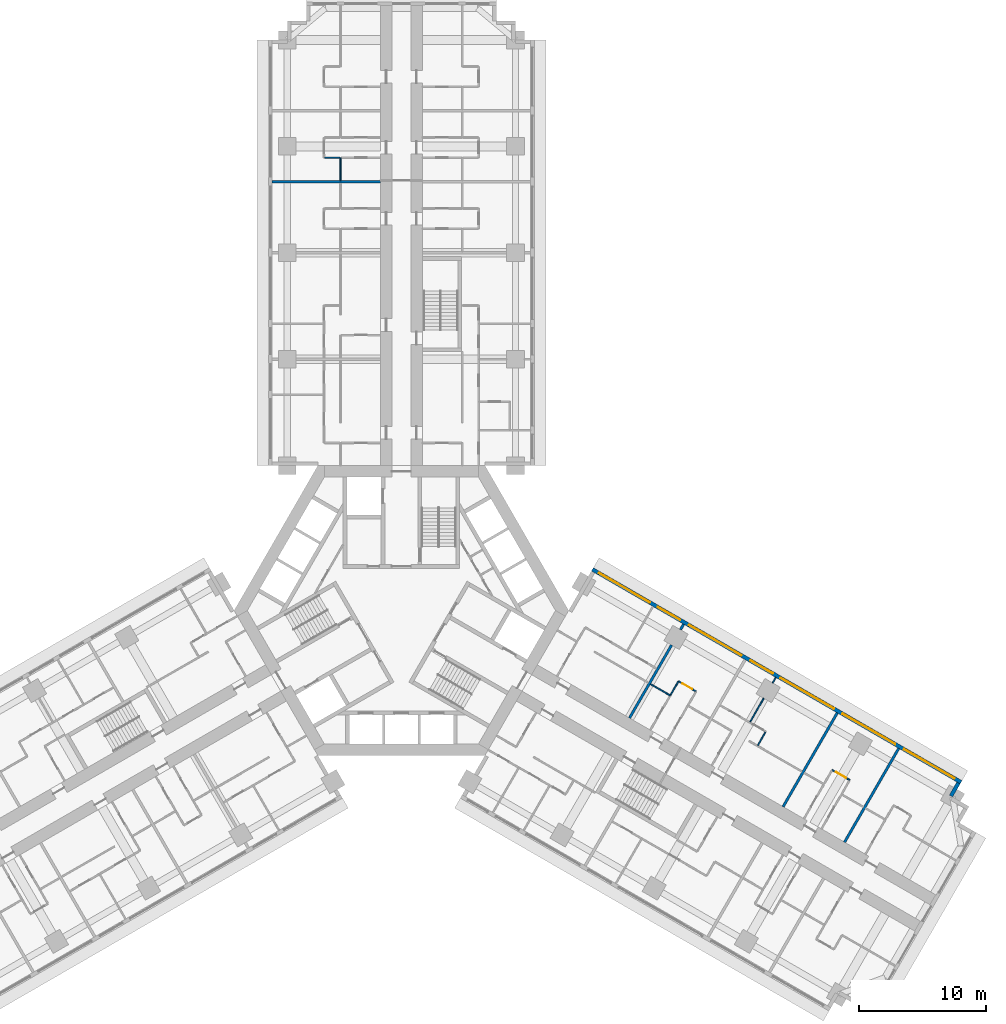
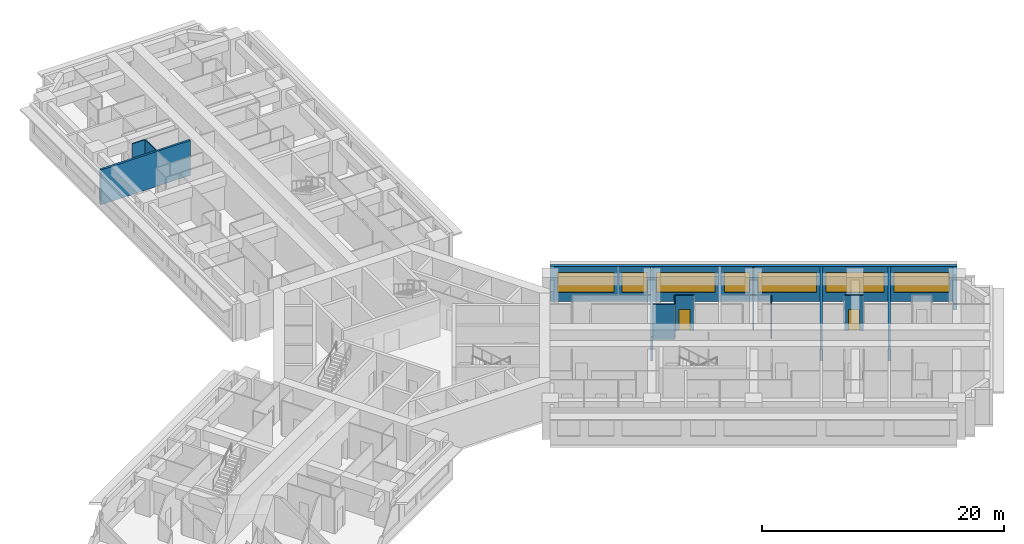
# One storey, part 13 of 16: 16 walls, 7 windows, 2 doors, 9 openings.
"""IFC4 building model written with IfcOpenShell, lengths in metres."""

import ifcopenshell
import ifcopenshell.guid

model = None  # the IFC model being written
_history = None  # IfcOwnerHistory: only IFC2X3 demands one
_inside = {}  # id of a spatial element -> (the spatial element, [elements in it])
_under = {}  # id of a project, library or spatial element -> (it, [spatial elements below it])
_declared = {}  # id of a project -> (the project, [libraries it declares])
_typed = {}  # id of a type object -> (the type object, [elements of that type])
_made_of = {}  # id of a material, layer set ... -> (it, [elements and type objects made of it])


def new_model(schema):
    """Start an empty IFC model of exactly this schema.

    Asked for "IFC4X3", IfcOpenShell would pick the latest addendum, in which some entities
    have other attributes; the version numbers below select the first issue.
    IFC2X3 requires an IfcOwnerHistory on every rooted entity: one is made here for all.
    """
    global model, _history
    if schema == "IFC4X3":
        model = ifcopenshell.file(schema_version=(4, 3, 0, 0))
    else:
        model = ifcopenshell.file(schema=schema)
    _inside.clear()
    _under.clear()
    _declared.clear()
    _typed.clear()
    _made_of.clear()
    _history = None
    if model.schema == "IFC2X3":
        org = make("IfcOrganization", Name="unknown")
        user = make(
            "IfcPersonAndOrganization",
            ThePerson=make("IfcPerson", FamilyName="unknown"),
            TheOrganization=org,
        )
        app = make(
            "IfcApplication",
            ApplicationDeveloper=org,
            Version="unknown",
            ApplicationFullName="unknown",
            ApplicationIdentifier="unknown",
        )
        _history = make(
            "IfcOwnerHistory",
            OwningUser=user,
            OwningApplication=app,
            ChangeAction="ADDED",
            CreationDate=0,
        )
    return model


def make(cls, **values):
    """One entity of the class cls with the attributes given. An attribute that is None is left unset."""
    return model.create_entity(
        cls, **{name: value for name, value in values.items() if value is not None}
    )


def rooted(cls, **values):
    """An entity with a GlobalId (a new one), such as an element, a storey or a relation."""
    return make(cls, GlobalId=ifcopenshell.guid.new(), OwnerHistory=_history, **values)


def si_unit(unit_type, name, prefix=None):
    """IfcSIUnit, for example si_unit("LENGTHUNIT", "METRE", prefix="MILLI")."""
    return make("IfcSIUnit", UnitType=unit_type, Prefix=prefix, Name=name)


def assignment(units):
    """IfcUnitAssignment: the units of a project."""
    return None if units is None else make("IfcUnitAssignment", Units=units)


def point(xyz):
    """IfcCartesianPoint."""
    return None if xyz is None else make("IfcCartesianPoint", Coordinates=xyz)


def direction(xyz):
    """IfcDirection."""
    return None if xyz is None else make("IfcDirection", DirectionRatios=xyz)


def frame(location, z_axis=None, x_axis=None):
    """IfcAxis2Placement3D, a coordinate frame: its origin and axes. An axis left out is left unset."""
    return make(
        "IfcAxis2Placement3D",
        Location=point(location),
        Axis=direction(z_axis),
        RefDirection=direction(x_axis),
    )


def frame_2d(location, x_axis=None):
    """IfcAxis2Placement2D, a coordinate frame in the plane: its origin and x axis."""
    return make(
        "IfcAxis2Placement2D", Location=point(location), RefDirection=direction(x_axis)
    )


def origin():
    """The frame at (0, 0, 0) with its axes left unset."""
    return frame((0.0, 0.0, 0.0))


def place(relative_to, where):
    """IfcLocalPlacement: puts the frame where relative to a parent placement (None: the world)."""
    return make(
        "IfcLocalPlacement", PlacementRelTo=relative_to, RelativePlacement=where
    )


def context(
    kind, dimensions, precision=None, world=None, true_north=None, identifier=None
):
    """IfcGeometricRepresentationContext, for example the 3D "Model" context."""
    return make(
        "IfcGeometricRepresentationContext",
        ContextIdentifier=identifier,
        ContextType=kind,
        CoordinateSpaceDimension=dimensions,
        Precision=precision,
        WorldCoordinateSystem=world,
        TrueNorth=true_north,
    )


def subcontext(parent, identifier, kind, view, scale=None):
    """IfcGeometricRepresentationSubContext, for example "Body" below "Model"."""
    return make(
        "IfcGeometricRepresentationSubContext",
        ContextIdentifier=identifier,
        ContextType=kind,
        ParentContext=parent,
        TargetScale=scale,
        TargetView=view,
    )


def project(units=None, contexts=None):
    """IfcProject with its units and contexts."""
    return rooted(
        "IfcProject",
        Name="project",
        RepresentationContexts=contexts,
        UnitsInContext=assignment(units),
    )


def spatial(cls, under=None, at=None, **own):
    """A site, building, storey or space (cls), placed at a placement, below another one or the project."""
    s = rooted(cls, ObjectPlacement=at, **own)
    if under is not None:
        _under.setdefault(under.id(), (under, []))[1].append(s)
    return s


def profile(cls, at=None, kind="AREA", **sizes):
    """A parametric profile (cls). Its sizes go by their IFC names, for example OverallWidth=200.0."""
    return make(cls, ProfileType=kind, Position=at, **sizes)


def rectangle(**sizes):
    """IfcRectangleProfileDef."""
    return profile("IfcRectangleProfileDef", **sizes)


def extrude(swept, where, along, depth):
    """IfcExtrudedAreaSolid: the profile swept, set in the frame where, extruded along a direction by depth."""
    return make(
        "IfcExtrudedAreaSolid",
        SweptArea=swept,
        Position=where,
        ExtrudedDirection=direction(along),
        Depth=depth,
    )


def shape(context_of_items, identifier, shape_type, items):
    """IfcShapeRepresentation: the items that make up one representation, for example the "Body"."""
    return make(
        "IfcShapeRepresentation",
        ContextOfItems=context_of_items,
        RepresentationIdentifier=identifier,
        RepresentationType=shape_type,
        Items=items,
    )


def material(Name=None, Category=None):
    """IfcMaterial."""
    return make("IfcMaterial", Name=Name, Category=Category)


def layer(
    of_material, thickness, ventilated=None, Name=None, Category=None, Priority=None
):
    """IfcMaterialLayer: one layer of a wall or slab, of a material (None: an air gap)."""
    return make(
        "IfcMaterialLayer",
        Material=of_material,
        LayerThickness=thickness,
        IsVentilated=ventilated,
        Name=Name,
        Category=Category,
        Priority=Priority,
    )


def layer_set(layers, Name=None):
    """IfcMaterialLayerSet."""
    return make("IfcMaterialLayerSet", MaterialLayers=layers, LayerSetName=Name)


def made_of(thing, what):
    """Note that an element or type object is made of a material, layer set ...; save() writes the relation."""
    if what is not None:
        _made_of.setdefault(what.id(), (what, []))[1].append(thing)
    return thing


def type_object(cls, material=None, **own):
    """A type object (cls), such as IfcWallType, which elements share."""
    return made_of(rooted(cls, **own), material)


def element(
    cls,
    number,
    at=None,
    inside=None,
    cuts=None,
    type_object=None,
    material=None,
    context=None,
    identifier="Body",
    shape_type=None,
    held_by="IfcProductDefinitionShape",
    body=None,
    shapes=None,
    **own,
):
    """One element of the class cls, such as IfcWall. Its Tag is "e" and its number.

    at: its placement. inside: the storey or other place that contains it. cuts: it is an
    opening in that element (IfcRelVoidsElement). A single representation is given by context,
    identifier, shape_type and body (its items); several are given by shapes. held_by: the class
    of the entity that holds the representations. save() writes the other relations.
    """
    e = rooted(cls, Tag="e%d" % number, ObjectPlacement=at, **own)
    if body is not None:
        shapes = [shape(context, identifier, shape_type, body)]
    if shapes is not None:
        e.Representation = make(held_by, Representations=shapes)
    if inside is not None:
        _inside.setdefault(inside.id(), (inside, []))[1].append(e)
    if cuts is not None:
        rooted(
            "IfcRelVoidsElement", RelatingBuildingElement=cuts, RelatedOpeningElement=e
        )
    if type_object is not None:
        _typed.setdefault(type_object.id(), (type_object, []))[1].append(e)
    return made_of(e, material)


def fill(opening, filler):
    """IfcRelFillsElement: the door or window that sits in an opening."""
    return rooted(
        "IfcRelFillsElement",
        RelatingOpeningElement=opening,
        RelatedBuildingElement=filler,
    )


def aggregate(whole, parts):
    """IfcRelAggregates: a whole, such as a stair, and the parts it consists of."""
    return rooted("IfcRelAggregates", RelatingObject=whole, RelatedObjects=parts)


def save(model, path):
    """Write the relations noted so far, then the file.

    IfcRelAggregates (storeys below a building ...), IfcRelContainedInSpatialStructure (elements
    in a storey), IfcRelDefinesByType, IfcRelAssociatesMaterial and IfcRelDeclares: one each for
    every whole, place, type object, material and project.
    """
    for whole, parts in _under.values():
        aggregate(whole, parts)
    for where, things in _inside.values():
        rooted(
            "IfcRelContainedInSpatialStructure",
            RelatedElements=things,
            RelatingStructure=where,
        )
    for kind, things in _typed.values():
        rooted("IfcRelDefinesByType", RelatedObjects=things, RelatingType=kind)
    for what, things in _made_of.values():
        rooted("IfcRelAssociatesMaterial", RelatedObjects=things, RelatingMaterial=what)
    for by, libraries in _declared.values():
        rooted("IfcRelDeclares", RelatingContext=by, RelatedDefinitions=libraries)
    model.write(path)


model = new_model("IFC4")

# Units and contexts
model_context = context("Model", 3, precision=1e-05, world=origin(), true_north=direction((0.0, 1.0)))
body_context = subcontext(model_context, "Body", "Model", "MODEL_VIEW")
ifc_project = project(units=[si_unit("LENGTHUNIT", "METRE"), si_unit("AREAUNIT", "SQUARE_METRE"), si_unit("VOLUMEUNIT", "CUBIC_METRE"), si_unit("PLANEANGLEUNIT", "RADIAN"), si_unit("MASSUNIT", "GRAM", prefix="KILO")], contexts=[model_context])

# Site, building, storey
site_placement = place(None, origin())
site = spatial("IfcSite", under=ifc_project, at=site_placement, CompositionType="ELEMENT")
building_placement = place(site_placement, origin())
building = spatial("IfcBuilding", under=site, at=building_placement, Name="Impinga Residences", CompositionType="ELEMENT")
storey_placement = place(building_placement, frame((0.0, 0.0, 52.25)))
storey = spatial("IfcBuildingStorey", under=building, at=storey_placement, Name="L12", CompositionType="ELEMENT", Elevation=52.25)

# Wall, openings, windows
ifc_material_1 = material(Name="Terracotta rainscreen on blockwork", Category="masonry")
ifc_layer_1 = layer(ifc_material_1, 0.300048828125)
ifc_layer_set_1 = layer_set([ifc_layer_1], Name="EW1 external wall, terracotta rainscreen on blockwork 300")
wall_type_1 = type_object("IfcWallType", Name="EW1 external wall, terracotta rainscreen on blockwork 300", PredefinedType="SOLIDWALL", material=ifc_layer_set_1)
wall_1_placement = place(storey_placement, frame((15.074951171875, 3.24755859375, 0.0), z_axis=(0.0, 0.0, 1.0), x_axis=(0.866024291668, -0.500001926238, 0.0)))
wall_1 = element("IfcWall", 1, at=wall_1_placement, inside=storey, type_object=wall_type_1, Name="External wall EW1 L12", PredefinedType="SOLIDWALL", context=body_context, shape_type="SweptSolid", body=[
    extrude(rectangle(XDim=33.599853515625, YDim=0.300048828125, at=frame_2d((16.7998046875, 0.0))), origin(), (0.0, 0.0, 1.0), 3.530029296875),
])
opening_1_placement = place(wall_1_placement, frame((0.60009765625, 0.0, 0.89990234375)))
opening_1 = element("IfcOpeningElement", 2, at=opening_1_placement, cuts=wall_1, Name="Opening W10", PredefinedType="OPENING", context=body_context, shape_type="SweptSolid", body=[
    extrude(rectangle(XDim=4.64990234375, YDim=2.050048828125, at=frame_2d((2.324951171875, 1.02490234375))), frame((0.0, 0.159912109375, 0.0), z_axis=(0.0, -1.0, 0.0), x_axis=(1.0, 0.0, 0.0)), (0.0, 0.0, 1.0), 0.320068359375),
])
opening_2_placement = place(wall_1_placement, frame((5.949951171875, 0.0, 0.89990234375)))
opening_2 = element("IfcOpeningElement", 3, at=opening_2_placement, cuts=wall_1, Name="Opening W14", PredefinedType="OPENING", context=body_context, shape_type="SweptSolid", body=[
    extrude(rectangle(XDim=2.050048828125, YDim=2.050048828125, at=frame_2d((1.02490234375, 1.02490234375))), frame((0.0, 0.159912109375, 0.0), z_axis=(0.0, -1.0, 0.0), x_axis=(1.0, 0.0, 0.0)), (0.0, 0.0, 1.0), 0.320068359375),
])
opening_3_placement = place(wall_1_placement, frame((8.800048828125, 0.0, 0.89990234375)))
opening_3 = element("IfcOpeningElement", 4, at=opening_3_placement, cuts=wall_1, Name="Opening W8", PredefinedType="OPENING", context=body_context, shape_type="SweptSolid", body=[
    extrude(rectangle(XDim=4.800048828125, YDim=2.050048828125, at=frame_2d((2.39990234375, 1.02490234375))), frame((0.0, 0.159912109375, 0.0), z_axis=(0.0, -1.0, 0.0), x_axis=(1.0, 0.0, 0.0)), (0.0, 0.0, 1.0), 0.320068359375),
])
opening_4_placement = place(wall_1_placement, frame((14.39990234375, 0.0, 0.89990234375)))
opening_4 = element("IfcOpeningElement", 5, at=opening_4_placement, cuts=wall_1, Name="Opening W14", PredefinedType="OPENING", context=body_context, shape_type="SweptSolid", body=[
    extrude(rectangle(XDim=2.050048828125, YDim=2.050048828125, at=frame_2d((1.02490234375, 1.02490234375))), frame((0.0, 0.159912109375, 0.0), z_axis=(0.0, -1.0, 0.0), x_axis=(1.0, 0.0, 0.0)), (0.0, 0.0, 1.0), 0.320068359375),
])
opening_5_placement = place(wall_1_placement, frame((17.14990234375, 0.0, 0.89990234375)))
opening_5 = element("IfcOpeningElement", 6, at=opening_5_placement, cuts=wall_1, Name="Opening W6", PredefinedType="OPENING", context=body_context, shape_type="SweptSolid", body=[
    extrude(rectangle(XDim=4.85009765625, YDim=2.050048828125, at=frame_2d((2.425048828125, 1.02490234375))), frame((0.0, 0.159912109375, 0.0), z_axis=(0.0, -1.0, 0.0), x_axis=(1.0, 0.0, 0.0)), (0.0, 0.0, 1.0), 0.320068359375),
])
opening_6_placement = place(wall_1_placement, frame((22.800048828125, 0.0, 0.89990234375)))
opening_6 = element("IfcOpeningElement", 7, at=opening_6_placement, cuts=wall_1, Name="Opening W8", PredefinedType="OPENING", context=body_context, shape_type="SweptSolid", body=[
    extrude(rectangle(XDim=4.800048828125, YDim=2.050048828125, at=frame_2d((2.39990234375, 1.02490234375))), frame((0.0, 0.159912109375, 0.0), z_axis=(0.0, -1.0, 0.0), x_axis=(1.0, 0.0, 0.0)), (0.0, 0.0, 1.0), 0.320068359375),
])
opening_7_placement = place(wall_1_placement, frame((28.39990234375, 0.0, 0.89990234375)))
opening_7 = element("IfcOpeningElement", 8, at=opening_7_placement, cuts=wall_1, Name="Opening W3", PredefinedType="OPENING", context=body_context, shape_type="SweptSolid", body=[
    extrude(rectangle(XDim=4.60009765625, YDim=2.050048828125, at=frame_2d((2.300048828125, 1.02490234375))), frame((0.0, 0.159912109375, 0.0), z_axis=(0.0, -1.0, 0.0), x_axis=(1.0, 0.0, 0.0)), (0.0, 0.0, 1.0), 0.320068359375),
])
ifc_material_2 = material(Name="Aluminium window, clear double glazing", Category="aluminium")
window_type_1 = type_object("IfcWindowType", Name="W10 ribbon window 4650x2050", PartitioningType="SINGLE_PANEL", PredefinedType="WINDOW", material=ifc_material_2)
window_1_placement = place(opening_1_placement, origin())
window_1 = element("IfcWindow", 9, at=window_1_placement, inside=storey, type_object=window_type_1, Name="Window L12", OverallHeight=2.050048828125, OverallWidth=4.64990234375, PartitioningType="SINGLE_PANEL", PredefinedType="WINDOW", context=body_context, shape_type="SweptSolid", body=[
    extrude(rectangle(XDim=4.64990234375, YDim=2.050048828125, at=frame_2d((2.324951171875, 1.02490234375))), frame((0.0, 0.030029296875, 0.0), z_axis=(0.0, -1.0, 0.0), x_axis=(1.0, 0.0, 0.0)), (0.0, 0.0, 1.0), 0.06005859375),
])
fill(opening_1, window_1)
window_type_2 = type_object("IfcWindowType", Name="W14 ribbon window 2050x2050", PartitioningType="SINGLE_PANEL", PredefinedType="WINDOW", material=ifc_material_2)
window_2_placement = place(opening_2_placement, origin())
window_2 = element("IfcWindow", 10, at=window_2_placement, inside=storey, type_object=window_type_2, Name="Window L12", OverallHeight=2.050048828125, OverallWidth=2.050048828125, PartitioningType="SINGLE_PANEL", PredefinedType="WINDOW", context=body_context, shape_type="SweptSolid", body=[
    extrude(rectangle(XDim=2.050048828125, YDim=2.050048828125, at=frame_2d((1.02490234375, 1.02490234375))), frame((0.0, 0.030029296875, 0.0), z_axis=(0.0, -1.0, 0.0), x_axis=(1.0, 0.0, 0.0)), (0.0, 0.0, 1.0), 0.06005859375),
])
fill(opening_2, window_2)
window_3_placement = place(opening_4_placement, origin())
window_3 = element("IfcWindow", 11, at=window_3_placement, inside=storey, type_object=window_type_2, Name="Window L12", OverallHeight=2.050048828125, OverallWidth=2.050048828125, PartitioningType="SINGLE_PANEL", PredefinedType="WINDOW", context=body_context, shape_type="SweptSolid", body=[
    extrude(rectangle(XDim=2.050048828125, YDim=2.050048828125, at=frame_2d((1.02490234375, 1.02490234375))), frame((0.0, 0.030029296875, 0.0), z_axis=(0.0, -1.0, 0.0), x_axis=(1.0, 0.0, 0.0)), (0.0, 0.0, 1.0), 0.06005859375),
])
fill(opening_4, window_3)
window_type_3 = type_object("IfcWindowType", Name="W3 ribbon window 4600x2050", PartitioningType="SINGLE_PANEL", PredefinedType="WINDOW", material=ifc_material_2)
window_4_placement = place(opening_7_placement, origin())
window_4 = element("IfcWindow", 12, at=window_4_placement, inside=storey, type_object=window_type_3, Name="Window L12", OverallHeight=2.050048828125, OverallWidth=4.60009765625, PartitioningType="SINGLE_PANEL", PredefinedType="WINDOW", context=body_context, shape_type="SweptSolid", body=[
    extrude(rectangle(XDim=4.60009765625, YDim=2.050048828125, at=frame_2d((2.300048828125, 1.02490234375))), frame((0.0, 0.030029296875, 0.0), z_axis=(0.0, -1.0, 0.0), x_axis=(1.0, 0.0, 0.0)), (0.0, 0.0, 1.0), 0.06005859375),
])
fill(opening_7, window_4)
window_type_4 = type_object("IfcWindowType", Name="W6 ribbon window 4850x2050", PartitioningType="SINGLE_PANEL", PredefinedType="WINDOW", material=ifc_material_2)
window_5_placement = place(opening_5_placement, origin())
window_5 = element("IfcWindow", 13, at=window_5_placement, inside=storey, type_object=window_type_4, Name="Window L12", OverallHeight=2.050048828125, OverallWidth=4.85009765625, PartitioningType="SINGLE_PANEL", PredefinedType="WINDOW", context=body_context, shape_type="SweptSolid", body=[
    extrude(rectangle(XDim=4.85009765625, YDim=2.050048828125, at=frame_2d((2.425048828125, 1.02490234375))), frame((0.0, 0.030029296875, 0.0), z_axis=(0.0, -1.0, 0.0), x_axis=(1.0, 0.0, 0.0)), (0.0, 0.0, 1.0), 0.06005859375),
])
fill(opening_5, window_5)
window_type_5 = type_object("IfcWindowType", Name="W8 ribbon window 4800x2050", PartitioningType="SINGLE_PANEL", PredefinedType="WINDOW", material=ifc_material_2)
window_6_placement = place(opening_3_placement, origin())
window_6 = element("IfcWindow", 14, at=window_6_placement, inside=storey, type_object=window_type_5, Name="Window L12", OverallHeight=2.050048828125, OverallWidth=4.800048828125, PartitioningType="SINGLE_PANEL", PredefinedType="WINDOW", context=body_context, shape_type="SweptSolid", body=[
    extrude(rectangle(XDim=4.800048828125, YDim=2.050048828125, at=frame_2d((2.39990234375, 1.02490234375))), frame((0.0, 0.030029296875, 0.0), z_axis=(0.0, -1.0, 0.0), x_axis=(1.0, 0.0, 0.0)), (0.0, 0.0, 1.0), 0.06005859375),
])
fill(opening_3, window_6)
window_7_placement = place(opening_6_placement, origin())
window_7 = element("IfcWindow", 15, at=window_7_placement, inside=storey, type_object=window_type_5, Name="Window L12", OverallHeight=2.050048828125, OverallWidth=4.800048828125, PartitioningType="SINGLE_PANEL", PredefinedType="WINDOW", context=body_context, shape_type="SweptSolid", body=[
    extrude(rectangle(XDim=4.800048828125, YDim=2.050048828125, at=frame_2d((2.39990234375, 1.02490234375))), frame((0.0, 0.030029296875, 0.0), z_axis=(0.0, -1.0, 0.0), x_axis=(1.0, 0.0, 0.0)), (0.0, 0.0, 1.0), 0.06005859375),
])
fill(opening_6, window_7)

# Walls
wall_2_placement = place(storey_placement, frame((43.968505859375, -13.607421875, 0.0), z_axis=(0.0, 0.0, 1.0), x_axis=(-0.500029051137, -0.866008630453, 0.0)))
element("IfcWall", 16, at=wall_2_placement, inside=storey, type_object=wall_type_1, Name="External wall EW1 L12", PredefinedType="SOLIDWALL", context=body_context, shape_type="SweptSolid", body=[
    extrude(rectangle(XDim=1.19482421875, YDim=0.300048828125, at=frame_2d((0.597412109375, 0.0))), origin(), (0.0, 0.0, 1.0), 3.530029296875),
])
ifc_material_3 = material(Name="Gypsum board on steel studs", Category="steel")
ifc_layer_2 = layer(ifc_material_3, 0.10009765625)
ifc_layer_set_2 = layer_set([ifc_layer_2], Name="Gypsum board on steel studs")
wall_type_2 = type_object("IfcWallType", Name="IP1 partition 100", PredefinedType="PARTITIONING", material=ifc_layer_set_2)
wall_3_placement = place(storey_placement, frame((-4.800048828125, 33.931640625, 0.0), z_axis=(0.0, 0.0, 1.0), x_axis=(0.0, 1.0, 0.0)))
element("IfcWall", 17, at=wall_3_placement, inside=storey, type_object=wall_type_2, Name="Partition L12-NA4:DIV0", PredefinedType="PARTITIONING", context=body_context, shape_type="SweptSolid", body=[
    extrude(rectangle(XDim=1.7998046875, YDim=0.10009765625, at=frame_2d((0.89990234375, 0.0))), origin(), (0.0, 0.0, 1.0), 3.530029296875),
])
wall_4_placement = place(storey_placement, frame((-4.85009765625, 35.7314453125, 0.0), z_axis=(0.0, 0.0, 1.0), x_axis=(-1.0, 0.0, 0.0)))
element("IfcWall", 18, at=wall_4_placement, inside=storey, type_object=wall_type_2, Name="Partition L12-NA4:SE0", PredefinedType="PARTITIONING", context=body_context, shape_type="SweptSolid", body=[
    extrude(rectangle(XDim=1.199951171875, YDim=0.10009765625, at=frame_2d((0.60009765625, 0.0))), origin(), (0.0, 0.0, 1.0), 3.530029296875),
])
wall_5_placement = place(storey_placement, frame((19.6611328125, -5.808837890625, 0.0), z_axis=(0.0, 0.0, 1.0), x_axis=(0.866047807691, -0.499961193289, 0.0)))
element("IfcWall", 19, at=wall_5_placement, inside=storey, type_object=wall_type_2, Name="Partition L12-EA2:DIV0", PredefinedType="PARTITIONING", context=body_context, shape_type="SweptSolid", body=[
    extrude(rectangle(XDim=1.800048828125, YDim=0.10009765625, at=frame_2d((0.89990234375, 0.0))), origin(), (0.0, 0.0, 1.0), 3.530029296875),
])

# Wall, opening, door
wall_6_placement = place(storey_placement, frame((21.8701171875, -5.5830078125, 0.0), z_axis=(0.0, 0.0, 1.0), x_axis=(0.865989903783, -0.500061482766, 0.0)))
wall_6 = element("IfcWall", 20, at=wall_6_placement, inside=storey, type_object=wall_type_2, Name="Partition L12-EA2:STRIP", PredefinedType="PARTITIONING", context=body_context, shape_type="SweptSolid", body=[
    extrude(rectangle(XDim=1.599853515625, YDim=0.10009765625, at=frame_2d((0.7998046875, 0.0))), origin(), (0.0, 0.0, 1.0), 3.530029296875),
])
opening_8_placement = place(wall_6_placement, frame((0.35009765625, 0.0, 0.0)))
opening_8 = element("IfcOpeningElement", 21, at=opening_8_placement, cuts=wall_6, Name="Opening D2", PredefinedType="OPENING", context=body_context, shape_type="SweptSolid", body=[
    extrude(rectangle(XDim=0.89990234375, YDim=2.10009765625, at=frame_2d((0.449951171875, 1.050048828125))), frame((0.0, 0.06005859375, 0.0), z_axis=(0.0, -1.0, 0.0), x_axis=(1.0, 0.0, 0.0)), (0.0, 0.0, 1.0), 0.1201171875),
])
ifc_material_4 = material(Name="Timber door set", Category="wood")
door_type = type_object("IfcDoorType", Name="D2 internal door 900x2100", OperationType="SINGLE_SWING_LEFT", PredefinedType="DOOR", material=ifc_material_4)
door_1_placement = place(opening_8_placement, origin())
door_1 = element("IfcDoor", 22, at=door_1_placement, inside=storey, type_object=door_type, Name="Apartment L12-EA2 room door", OperationType="SINGLE_SWING_LEFT", OverallHeight=2.10009765625, OverallWidth=0.89990234375, PredefinedType="DOOR", context=body_context, shape_type="SweptSolid", body=[
    extrude(rectangle(XDim=0.89990234375, YDim=2.10009765625, at=frame_2d((0.449951171875, 1.050048828125))), frame((0.0, 0.02490234375, 0.0), z_axis=(0.0, -1.0, 0.0), x_axis=(1.0, 0.0, 0.0)), (0.0, 0.0, 1.0), 0.050048828125),
])
fill(opening_8, door_1)

# Walls
wall_7_placement = place(storey_placement, frame((21.2451171875, -6.66552734375, 0.0), z_axis=(0.0, 0.0, 1.0), x_axis=(0.499880961361, 0.866094119867, 0.0)))
element("IfcWall", 23, at=wall_7_placement, inside=storey, type_object=wall_type_2, Name="Partition L12-EA2:SE0", PredefinedType="PARTITIONING", context=body_context, shape_type="SweptSolid", body=[
    extrude(rectangle(XDim=1.199951171875, YDim=0.10009765625, at=frame_2d((0.60009765625, 0.0))), origin(), (0.0, 0.0, 1.0), 3.530029296875),
])
wall_8_placement = place(storey_placement, frame((28.1298828125, -10.640625, 0.0), z_axis=(0.0, 0.0, 1.0), x_axis=(0.500033551112, 0.866006032174, 0.0)))
element("IfcWall", 24, at=wall_8_placement, inside=storey, type_object=wall_type_2, Name="Partition L12-EA3:SE1", PredefinedType="PARTITIONING", context=body_context, shape_type="SweptSolid", body=[
    extrude(rectangle(XDim=1.2001953125, YDim=0.10009765625, at=frame_2d((0.60009765625, 0.0))), origin(), (0.0, 0.0, 1.0), 3.530029296875),
])
wall_9_placement = place(storey_placement, frame((27.524169921875, -8.789794921875, 0.0), z_axis=(0.0, 0.0, 1.0), x_axis=(0.499961633463, 0.866047553582, 0.0)))
element("IfcWall", 25, at=wall_9_placement, inside=storey, type_object=wall_type_2, Name="Partition L12-EA3:OB1", PredefinedType="PARTITIONING", context=body_context, shape_type="SweptSolid", body=[
    extrude(rectangle(XDim=2.150146484375, YDim=0.10009765625, at=frame_2d((1.0751953125, 0.0))), origin(), (0.0, 0.0, 1.0), 2.47998046875),
])
wall_10_placement = place(storey_placement, frame((29.29931640625, -5.71533203125, 0.0), z_axis=(0.0, 0.0, 1.0), x_axis=(0.499919672301, 0.866071776036, 0.0)))
element("IfcWall", 26, at=wall_10_placement, inside=storey, type_object=wall_type_2, Name="Partition L12-EA3:OB1b", PredefinedType="PARTITIONING", context=body_context, shape_type="SweptSolid", body=[
    extrude(rectangle(XDim=0.5, YDim=0.10009765625, at=frame_2d((0.25, 0.0))), origin(), (0.0, 0.0, 1.0), 3.530029296875),
])

# Wall, opening, door
wall_11_placement = place(storey_placement, frame((33.994384765625, -12.5830078125, 0.0), z_axis=(0.0, 0.0, 1.0), x_axis=(0.866028054938, -0.499995408039, 0.0)))
wall_11 = element("IfcWall", 27, at=wall_11_placement, inside=storey, type_object=wall_type_2, Name="Partition L12-EA4:STRIP", PredefinedType="PARTITIONING", context=body_context, shape_type="SweptSolid", body=[
    extrude(rectangle(XDim=1.60009765625, YDim=0.10009765625, at=frame_2d((0.800048828125, 0.0))), origin(), (0.0, 0.0, 1.0), 3.530029296875),
])
opening_9_placement = place(wall_11_placement, frame((0.35009765625, 0.0, 0.0)))
opening_9 = element("IfcOpeningElement", 28, at=opening_9_placement, cuts=wall_11, Name="Opening D2", PredefinedType="OPENING", context=body_context, shape_type="SweptSolid", body=[
    extrude(rectangle(XDim=0.89990234375, YDim=2.10009765625, at=frame_2d((0.449951171875, 1.050048828125))), frame((0.0, 0.06005859375, 0.0), z_axis=(0.0, -1.0, 0.0), x_axis=(1.0, 0.0, 0.0)), (0.0, 0.0, 1.0), 0.1201171875),
])
door_2_placement = place(opening_9_placement, origin())
door_2 = element("IfcDoor", 29, at=door_2_placement, inside=storey, type_object=door_type, Name="Apartment L12-EA4 room door", OperationType="SINGLE_SWING_LEFT", OverallHeight=2.10009765625, OverallWidth=0.89990234375, PredefinedType="DOOR", context=body_context, shape_type="SweptSolid", body=[
    extrude(rectangle(XDim=0.89990234375, YDim=2.10009765625, at=frame_2d((0.449951171875, 1.050048828125))), frame((0.0, 0.02490234375, 0.0), z_axis=(0.0, -1.0, 0.0), x_axis=(1.0, 0.0, 0.0)), (0.0, 0.0, 1.0), 0.050048828125),
])
fill(opening_9, door_2)

# Walls
ifc_material_5 = material(Name="Concrete blockwork", Category="masonry")
ifc_layer_3 = layer(ifc_material_5, 0.199951171875)
ifc_layer_set_3 = layer_set([ifc_layer_3], Name="PW1 party wall between apartments 200")
wall_type_3 = type_object("IfcWallType", Name="PW1 party wall between apartments 200", PredefinedType="SOLIDWALL", material=ifc_layer_set_3)
wall_12_placement = place(storey_placement, frame((-1.64990234375, 33.83154296875, 0.0), z_axis=(0.0, 0.0, 1.0), x_axis=(-1.0, 0.0, 0.0)))
element("IfcWall", 30, at=wall_12_placement, inside=storey, type_object=wall_type_3, Name="Party wall between apartments L12-NA3:PARTY", PredefinedType="SOLIDWALL", context=body_context, shape_type="SweptSolid", body=[
    extrude(rectangle(XDim=8.550048828125, YDim=0.199951171875, at=frame_2d((4.27490234375, 0.0))), origin(), (0.0, 0.0, 1.0), 3.530029296875),
])
wall_13_placement = place(storey_placement, frame((17.99951171875, -8.48681640625, 0.0), z_axis=(0.0, 0.0, 1.0), x_axis=(0.500024353964, 0.86601134256, 0.0)))
element("IfcWall", 31, at=wall_13_placement, inside=storey, type_object=wall_type_3, Name="Party wall between apartments L12-EA1:PARTY", PredefinedType="SOLIDWALL", context=body_context, shape_type="SweptSolid", body=[
    extrude(rectangle(XDim=6.650146484375, YDim=0.199951171875, at=frame_2d((3.3251953125, 0.0))), origin(), (0.0, 0.0, 1.0), 2.47998046875),
])
wall_14_placement = place(storey_placement, frame((22.024658203125, -1.515380859375, 0.0), z_axis=(0.0, 0.0, 1.0), x_axis=(0.499919672301, 0.866071776036, 0.0)))
element("IfcWall", 32, at=wall_14_placement, inside=storey, type_object=wall_type_3, Name="Party wall between apartments L12-EA1:PARTYb", PredefinedType="SOLIDWALL", context=body_context, shape_type="SweptSolid", body=[
    extrude(rectangle(XDim=0.5, YDim=0.199951171875, at=frame_2d((0.25, 0.0))), origin(), (0.0, 0.0, 1.0), 3.530029296875),
])
for number, where, z_axis, x_axis, name in (
    (33, (30.1240234375, -15.48681640625, 0.0), (0.0, 0.0, 1.0), (0.499990227581, 0.86603104582, 0.0), "Party wall between apartments L12-EA3:PARTY"),
    (34, (34.9736328125, -18.286865234375, 0.0), (0.0, 0.0, 1.0), (0.500011643316, 0.866018681408, 0.0), "Party wall between apartments L12-EA4:PARTY"),
):
    element("IfcWall", number, at=place(storey_placement, frame(where, z_axis=z_axis, x_axis=x_axis)), inside=storey, type_object=wall_type_3, Name=name, PredefinedType="SOLIDWALL", context=body_context, shape_type="SweptSolid", body=[
        extrude(rectangle(XDim=8.550048828125, YDim=0.199951171875, at=frame_2d((4.27490234375, 0.0))), origin(), (0.0, 0.0, 1.0), 3.530029296875),
    ])

save(model, "model.ifc")
